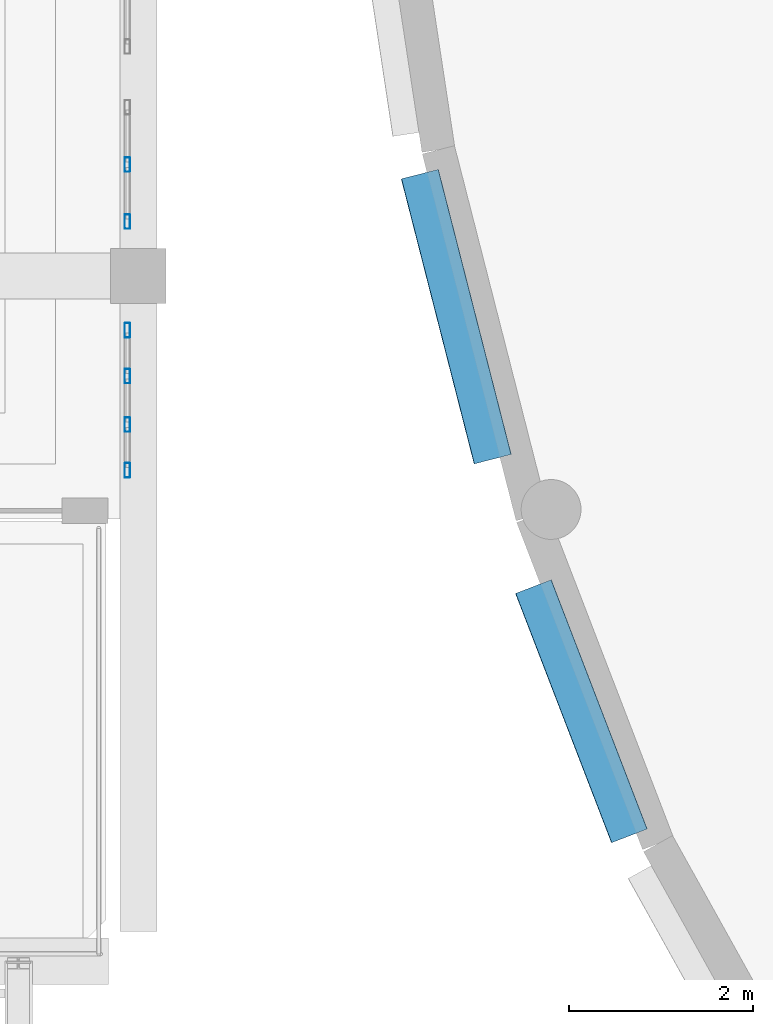
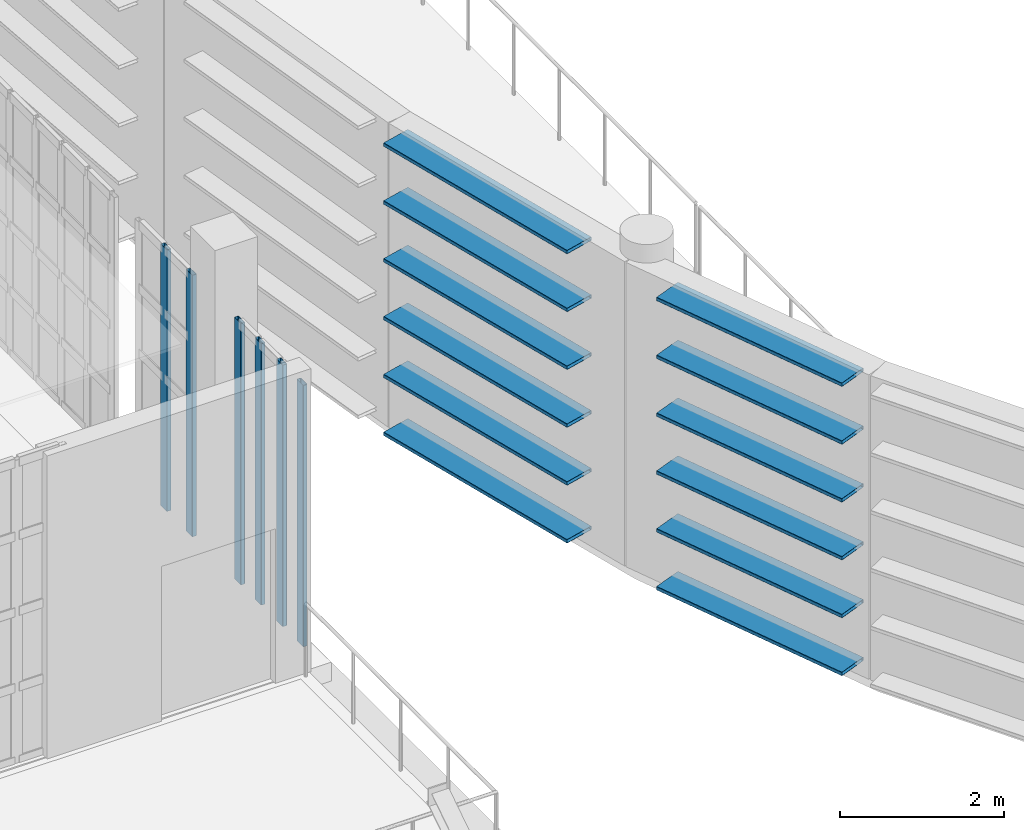
# One storey, part 24 of 104: 18 members, 2 elements without a shape of their own.
"""IFC4 building model written with IfcOpenShell, lengths in metres."""

from ifc_helpers import new_model, si_unit, direction, frame, origin, origin_2d, place, context, subcontext, project, spatial, hollow_rectangle, extrude, material, material_profile, profile_set, type_object, element, aggregate, save


model = new_model("IFC4")

# Units and contexts
model_context = context("Model", 3, precision=1e-05, world=origin(), true_north=direction((0.0, 1.0)))
body_context = subcontext(model_context, "Body", "Model", "MODEL_VIEW")
ifc_project = project(units=[si_unit("LENGTHUNIT", "METRE"), si_unit("AREAUNIT", "SQUARE_METRE"), si_unit("VOLUMEUNIT", "CUBIC_METRE"), si_unit("PLANEANGLEUNIT", "RADIAN"), si_unit("MASSUNIT", "GRAM", prefix="KILO")], contexts=[model_context])

# Site, building, storey
site_placement = place(None, origin())
site = spatial("IfcSite", under=ifc_project, at=site_placement, CompositionType="ELEMENT")
building_placement = place(site_placement, origin())
building = spatial("IfcBuilding", under=site, at=building_placement, Name="Kaelora Sail Theatre", CompositionType="ELEMENT")
storey_placement = place(building_placement, frame((0.0, 0.0, 5.39990234375)))
storey = spatial("IfcBuildingStorey", under=building, at=storey_placement, Name="L01", CompositionType="ELEMENT", Elevation=5.39990234375)

# Members
ifc_material_1 = material(Name="Anodised aluminium 6063-T6", Category="aluminium")
ifc_material_profile_1 = material_profile(ifc_material_1, hollow_rectangle(XDim=0.419921875, YDim=0.054931640625, WallThickness=0.00390625, InnerFilletRadius=0.00390625, OuterFilletRadius=0.008056640625, at=origin_2d()), Name="LOUVRE 420x55x4")
ifc_profile_set_1 = profile_set([ifc_material_profile_1], Name="Anodised aluminium 6063-T6")
member_type_1 = type_object("IfcMemberType", Name="ARC-MEM-LVR-420", PredefinedType="USERDEFINED", material=ifc_profile_set_1)
for number, where, z_axis, x_axis, name in (
    (1, (79.73095703125, 40.060546875, 0.150146484375), (-0.359300533741, 0.93322190633, 0.0), (-0.93322190633, -0.359300533741, 0.0), "Studio Theatre Sail Drum horizontal solar louvre C16-06"),
    (2, (79.73095703125, 40.060546875, 1.010009765625), (-0.359300533741, 0.93322190633, 0.0), (-0.93322190633, -0.359300533741, 0.0), "Studio Theatre Sail Drum horizontal solar louvre C16-07"),
    (3, (79.73095703125, 40.060546875, 1.8701171875), (-0.359300533741, 0.93322190633, 0.0), (-0.93322190633, -0.359300533741, 0.0), "Studio Theatre Sail Drum horizontal solar louvre C16-08"),
    (4, (79.73095703125, 40.060546875, 2.72998046875), (-0.359300533741, 0.93322190633, 0.0), (-0.93322190633, -0.359300533741, 0.0), "Studio Theatre Sail Drum horizontal solar louvre C16-09"),
    (5, (79.73095703125, 40.060546875, 3.590087890625), (-0.359300533741, 0.93322190633, 0.0), (-0.93322190633, -0.359300533741, 0.0), "Studio Theatre Sail Drum horizontal solar louvre C16-10"),
    (6, (79.73095703125, 40.060546875, 4.4501953125), (-0.359300533741, 0.93322190633, 0.0), (-0.93322190633, -0.359300533741, 0.0), "Studio Theatre Sail Drum horizontal solar louvre C16-11"),
):
    element("IfcMember", number, at=place(storey_placement, frame(where, z_axis=z_axis, x_axis=x_axis)), inside=storey, type_object=member_type_1, Name=name, ObjectType="LOUVRE", PredefinedType="USERDEFINED", context=body_context, shape_type="SweptSolid", body=[
        extrude(hollow_rectangle(XDim=0.419921875, YDim=0.054931640625, WallThickness=0.00390625, InnerFilletRadius=0.00390625, OuterFilletRadius=0.008056640625, at=origin_2d()), origin(), (0.0, 0.0, 1.0), 2.900634765625),
    ])
for number, where, z_axis, x_axis, name in (
    (7, (78.2470703125, 44.150634765625, 0.150146484375), (-0.24769312213, 0.968838540341, 0.0), (-0.968838540341, -0.24769312213, 0.0), "Studio Theatre Sail Drum horizontal solar louvre C17-06"),
    (8, (78.2470703125, 44.150634765625, 1.010009765625), (-0.24769312213, 0.968838540341, 0.0), (-0.968838540341, -0.24769312213, 0.0), "Studio Theatre Sail Drum horizontal solar louvre C17-07"),
    (9, (78.2470703125, 44.150634765625, 1.8701171875), (-0.24769312213, 0.968838540341, 0.0), (-0.968838540341, -0.24769312213, 0.0), "Studio Theatre Sail Drum horizontal solar louvre C17-08"),
    (10, (78.2470703125, 44.150634765625, 2.72998046875), (-0.24769312213, 0.968838540341, 0.0), (-0.968838540341, -0.24769312213, 0.0), "Studio Theatre Sail Drum horizontal solar louvre C17-09"),
    (11, (78.2470703125, 44.150634765625, 3.590087890625), (-0.24769312213, 0.968838540341, 0.0), (-0.968838540341, -0.24769312213, 0.0), "Studio Theatre Sail Drum horizontal solar louvre C17-10"),
    (12, (78.2470703125, 44.150634765625, 4.4501953125), (-0.24769312213, 0.968838540341, 0.0), (-0.968838540341, -0.24769312213, 0.0), "Studio Theatre Sail Drum horizontal solar louvre C17-11"),
):
    element("IfcMember", number, at=place(storey_placement, frame(where, z_axis=z_axis, x_axis=x_axis)), inside=storey, type_object=member_type_1, Name=name, ObjectType="LOUVRE", PredefinedType="USERDEFINED", context=body_context, shape_type="SweptSolid", body=[
        extrude(hollow_rectangle(XDim=0.419921875, YDim=0.054931640625, WallThickness=0.00390625, InnerFilletRadius=0.00390625, OuterFilletRadius=0.008056640625, at=origin_2d()), origin(), (0.0, 0.0, 1.0), 3.194580078125),
    ])

# Curtain wall, members
ifc_material_2 = material(Name="Anodised aluminium and solar-control low-E IGU", Category="aluminium")
curtain_wall_type = type_object("IfcCurtainWallType", Name="ARC-CW-CW-FOY2", PredefinedType="NOTDEFINED", material=ifc_material_2)
curtain_wall_1_placement = place(storey_placement, origin())
curtain_wall_1 = element("IfcCurtainWall", 13, at=curtain_wall_1_placement, inside=storey, type_object=curtain_wall_type, Name="West Interstitial Foyer East Glazed Return L01-01", PredefinedType="NOTDEFINED")
ifc_material_3 = material(Name="Anodised aluminium 6063-T6", Category="aluminium")
ifc_material_profile_2 = material_profile(ifc_material_3, hollow_rectangle(XDim=0.06005859375, YDim=0.159912109375, WallThickness=0.00390625, InnerFilletRadius=0.00390625, OuterFilletRadius=0.008056640625, at=origin_2d()), Name="ALU-MULL 60x160x4")
ifc_profile_set_2 = profile_set([ifc_material_profile_2], Name="Anodised aluminium 6063-T6")
member_type_2 = type_object("IfcMemberType", Name="ARC-MEM-ML-160", PredefinedType="MULLION", material=ifc_profile_set_2)
member_1_placement = place(storey_placement, frame((74.280029296875, 44.030029296875, 0.0), z_axis=(0.0, 0.0, 1.0), x_axis=(-1.0, 0.0, 0.0)))
member_1 = element("IfcMember", 14, at=member_1_placement, type_object=member_type_2, Name="CW-FOY2 mullion 1", PredefinedType="MULLION", context=body_context, shape_type="SweptSolid", body=[
    extrude(hollow_rectangle(XDim=0.06005859375, YDim=0.159912109375, WallThickness=0.00390625, InnerFilletRadius=0.00390625, OuterFilletRadius=0.008056640625, at=origin_2d()), origin(), (0.0, 0.0, 1.0), 3.88720703125),
])
member_2_placement = place(storey_placement, frame((74.280029296875, 44.526611328125, 0.0), z_axis=(0.0, 0.0, 1.0), x_axis=(-1.0, 0.0, 0.0)))
member_2 = element("IfcMember", 15, at=member_2_placement, type_object=member_type_2, Name="CW-FOY2 mullion 2", PredefinedType="MULLION", context=body_context, shape_type="SweptSolid", body=[
    extrude(hollow_rectangle(XDim=0.06005859375, YDim=0.159912109375, WallThickness=0.00390625, InnerFilletRadius=0.00390625, OuterFilletRadius=0.008056640625, at=origin_2d()), origin(), (0.0, 0.0, 1.0), 3.88720703125),
])
member_3_placement = place(storey_placement, frame((74.280029296875, 45.05322265625, 0.0), z_axis=(0.0, 0.0, 1.0), x_axis=(-1.0, 0.0, 0.0)))
member_3 = element("IfcMember", 16, at=member_3_placement, type_object=member_type_2, Name="CW-FOY2 mullion 3", PredefinedType="MULLION", context=body_context, shape_type="SweptSolid", body=[
    extrude(hollow_rectangle(XDim=0.06005859375, YDim=0.159912109375, WallThickness=0.00390625, InnerFilletRadius=0.00390625, OuterFilletRadius=0.008056640625, at=origin_2d()), origin(), (0.0, 0.0, 1.0), 3.88720703125),
])
member_4_placement = place(storey_placement, frame((74.280029296875, 45.550048828125, 0.0), z_axis=(0.0, 0.0, 1.0), x_axis=(-1.0, 0.0, 0.0)))
member_4 = element("IfcMember", 17, at=member_4_placement, type_object=member_type_2, Name="CW-FOY2 mullion 4", PredefinedType="MULLION", context=body_context, shape_type="SweptSolid", body=[
    extrude(hollow_rectangle(XDim=0.06005859375, YDim=0.159912109375, WallThickness=0.00390625, InnerFilletRadius=0.00390625, OuterFilletRadius=0.008056640625, at=origin_2d()), origin(), (0.0, 0.0, 1.0), 3.88720703125),
])
aggregate(curtain_wall_1, [member_1, member_2, member_3, member_4])

curtain_wall_2_placement = place(storey_placement, origin())
curtain_wall_2 = element("IfcCurtainWall", 18, at=curtain_wall_2_placement, inside=storey, type_object=curtain_wall_type, Name="West Interstitial Foyer East Glazed Return L01-01", PredefinedType="NOTDEFINED")
member_5_placement = place(storey_placement, frame((74.280029296875, 46.72998046875, 0.0), z_axis=(0.0, 0.0, 1.0), x_axis=(-1.0, 0.0, 0.0)))
member_5 = element("IfcMember", 19, at=member_5_placement, type_object=member_type_2, Name="CW-FOY2 mullion 1", PredefinedType="MULLION", context=body_context, shape_type="SweptSolid", body=[
    extrude(hollow_rectangle(XDim=0.06005859375, YDim=0.159912109375, WallThickness=0.00390625, InnerFilletRadius=0.00390625, OuterFilletRadius=0.008056640625, at=origin_2d()), origin(), (0.0, 0.0, 1.0), 3.88720703125),
])
member_6_placement = place(storey_placement, frame((74.280029296875, 47.35009765625, 0.0), z_axis=(0.0, 0.0, 1.0), x_axis=(-1.0, 0.0, 0.0)))
member_6 = element("IfcMember", 20, at=member_6_placement, type_object=member_type_2, Name="CW-FOY2 mullion 2", PredefinedType="MULLION", context=body_context, shape_type="SweptSolid", body=[
    extrude(hollow_rectangle(XDim=0.06005859375, YDim=0.159912109375, WallThickness=0.00390625, InnerFilletRadius=0.00390625, OuterFilletRadius=0.008056640625, at=origin_2d()), origin(), (0.0, 0.0, 1.0), 3.88720703125),
])
aggregate(curtain_wall_2, [member_5, member_6])

save(model, "model.ifc")
